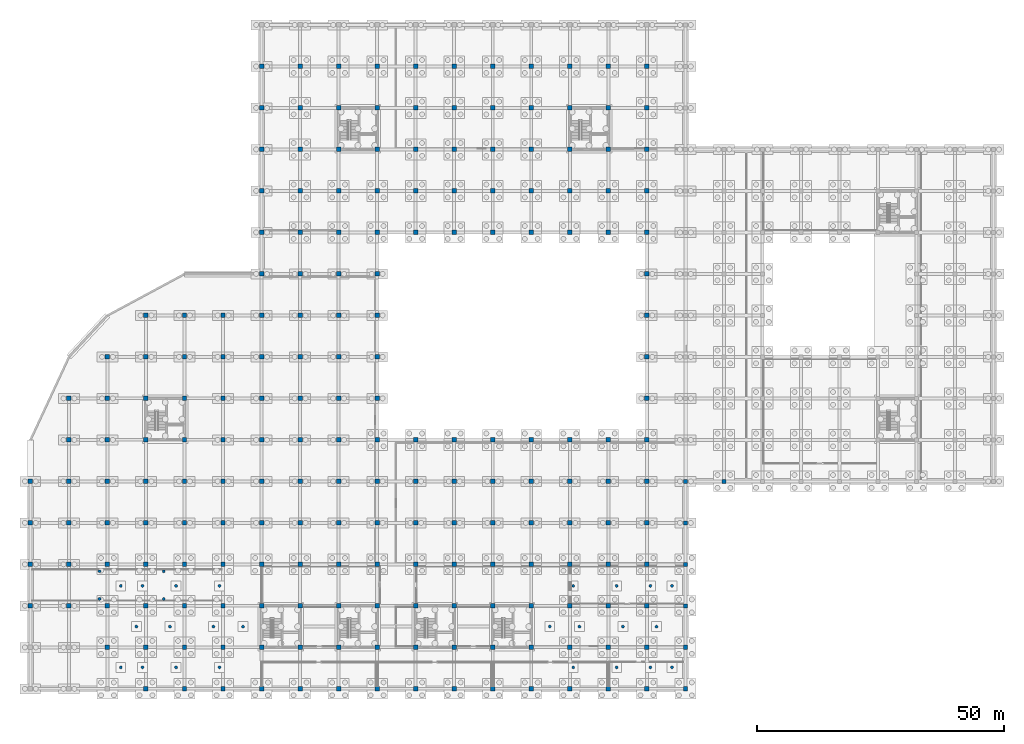
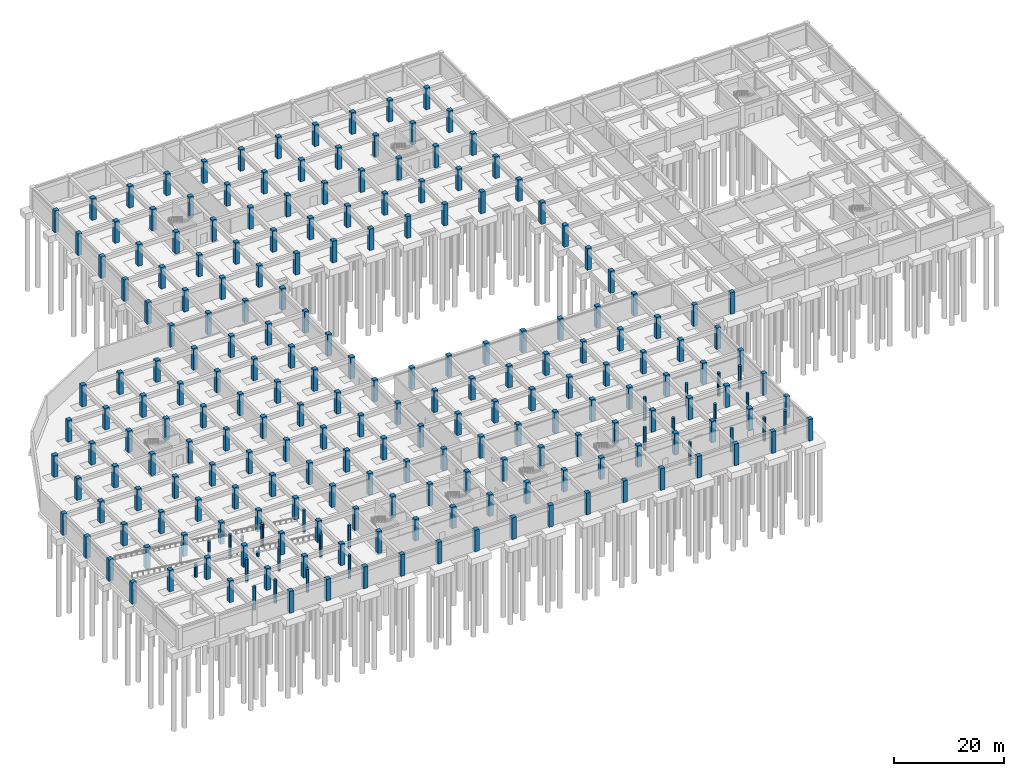
# One storey, part 12 of 31: 235 columns.
"""IFC4 building model written with IfcOpenShell, lengths in metres."""

from ifc_helpers import new_model, si_unit, direction, frame, origin, origin_2d, place, context, subcontext, project, spatial, rectangle, circle, extrude, material, material_profile, profile_set, type_object, element, save


model = new_model("IFC4")

# Units and contexts
model_context = context("Model", 3, precision=1e-05, world=origin(), true_north=direction((0.0, 1.0)))
body_context = subcontext(model_context, "Body", "Model", "MODEL_VIEW")
ifc_project = project(units=[si_unit("LENGTHUNIT", "METRE"), si_unit("AREAUNIT", "SQUARE_METRE"), si_unit("VOLUMEUNIT", "CUBIC_METRE"), si_unit("PLANEANGLEUNIT", "RADIAN"), si_unit("MASSUNIT", "GRAM", prefix="KILO")], contexts=[model_context])

# Site, building, storey
site_placement = place(None, origin())
site = spatial("IfcSite", under=ifc_project, at=site_placement, CompositionType="ELEMENT")
building_placement = place(site_placement, origin())
building = spatial("IfcBuilding", under=site, at=building_placement, Name="Zizhar Promenade General Hospital", CompositionType="ELEMENT")
storey_placement = place(building_placement, frame((0.0, 0.0, -4.800048828125)))
storey = spatial("IfcBuildingStorey", under=building, at=storey_placement, Name="B1", CompositionType="ELEMENT", Elevation=-4.800048828125)

# Columns
ifc_material_1 = material(Name="Concrete C40/50", Category="concrete")
ifc_material_profile_1 = material_profile(ifc_material_1, circle(Radius=0.300048828125, at=origin_2d()))
ifc_profile_set_1 = profile_set([ifc_material_profile_1], Name="Concrete C40/50")
column_type_1 = type_object("IfcColumnType", Name="COL-CIRC-600", PredefinedType="PILASTER", material=ifc_profile_set_1)
for number, where, z_axis, x_axis, name in (
    (1, (14.0, 18.199951171875, 0.0), (0.0, 0.0, 1.0), (1.0, 0.0, 0.0), "Vehicle Ramp Support Pier 1S"),
    (2, (14.0, 23.800048828125, 0.0), (0.0, 0.0, 1.0), (1.0, 0.0, 0.0), "Vehicle Ramp Support Pier 1N"),
):
    element("IfcColumn", number, at=place(storey_placement, frame(where, z_axis=z_axis, x_axis=x_axis)), inside=storey, type_object=column_type_1, Name=name, PredefinedType="PILASTER", context=body_context, shape_type="SweptSolid", body=[
        extrude(circle(Radius=0.300048828125, at=origin_2d()), origin(), (0.0, 0.0, 1.0), 2.949951171875),
    ])
for number, where, z_axis, x_axis, name in (
    (3, (27.0, 18.199951171875, 0.0), (0.0, 0.0, 1.0), (1.0, 0.0, 0.0), "Vehicle Ramp Support Pier 2S"),
    (4, (27.0, 23.800048828125, 0.0), (0.0, 0.0, 1.0), (1.0, 0.0, 0.0), "Vehicle Ramp Support Pier 2N"),
):
    element("IfcColumn", number, at=place(storey_placement, frame(where, z_axis=z_axis, x_axis=x_axis)), inside=storey, type_object=column_type_1, Name=name, PredefinedType="PILASTER", context=body_context, shape_type="SweptSolid", body=[
        extrude(circle(Radius=0.300048828125, at=origin_2d()), origin(), (0.0, 0.0, 1.0), 1.25),
    ])
for number, where, z_axis, x_axis, name in (
    (5, (18.300048828125, 4.35009765625, -0.39990234375), (0.0, 0.0, 1.0), (1.0, 0.0, 0.0), "Ward Terrace Interior Support Column L06-W0 (B1)"),
    (6, (18.300048828125, 20.85009765625, -0.39990234375), (0.0, 0.0, 1.0), (1.0, 0.0, 0.0), "Ward Terrace Interior Support Column L06-W1 (B1)"),
    (7, (21.449951171875, 12.60009765625, -0.39990234375), (0.0, 0.0, 1.0), (1.0, 0.0, 0.0), "Ward Terrace Interior Support Column L06-W2 (B1)"),
    (8, (129.89990234375, 4.35009765625, -0.39990234375), (0.0, 0.0, 1.0), (1.0, 0.0, 0.0), "Ward Terrace Interior Support Column L06-E0 (B1)"),
    (9, (129.89990234375, 20.85009765625, -0.39990234375), (0.0, 0.0, 1.0), (1.0, 0.0, 0.0), "Ward Terrace Interior Support Column L06-E1 (B1)"),
    (10, (126.75, 12.60009765625, -0.39990234375), (0.0, 0.0, 1.0), (1.0, 0.0, 0.0), "Ward Terrace Interior Support Column L06-E2 (B1)"),
    (11, (22.699951171875, 4.35009765625, -0.39990234375), (0.0, 0.0, 1.0), (1.0, 0.0, 0.0), "Ward Terrace Interior Support Column L07-W0 (B1)"),
    (12, (22.699951171875, 20.85009765625, -0.39990234375), (0.0, 0.0, 1.0), (1.0, 0.0, 0.0), "Ward Terrace Interior Support Column L07-W1 (B1)"),
    (13, (28.25, 12.60009765625, -0.39990234375), (0.0, 0.0, 1.0), (1.0, 0.0, 0.0), "Ward Terrace Interior Support Column L07-W2 (B1)"),
    (14, (125.5, 4.35009765625, -0.39990234375), (0.0, 0.0, 1.0), (1.0, 0.0, 0.0), "Ward Terrace Interior Support Column L07-E0 (B1)"),
    (15, (125.5, 20.85009765625, -0.39990234375), (0.0, 0.0, 1.0), (1.0, 0.0, 0.0), "Ward Terrace Interior Support Column L07-E1 (B1)"),
    (16, (119.949951171875, 12.60009765625, -0.39990234375), (0.0, 0.0, 1.0), (1.0, 0.0, 0.0), "Ward Terrace Interior Support Column L07-E2 (B1)"),
    (17, (29.5, 4.35009765625, -0.39990234375), (0.0, 0.0, 1.0), (1.0, 0.0, 0.0), "Ward Terrace Interior Support Column L08-W0 (B1)"),
    (18, (29.5, 20.85009765625, -0.39990234375), (0.0, 0.0, 1.0), (1.0, 0.0, 0.0), "Ward Terrace Interior Support Column L08-W1 (B1)"),
    (19, (37.050048828125, 12.60009765625, -0.39990234375), (0.0, 0.0, 1.0), (1.0, 0.0, 0.0), "Ward Terrace Interior Support Column L08-W2 (B1)"),
    (20, (118.699951171875, 4.35009765625, -0.39990234375), (0.0, 0.0, 1.0), (1.0, 0.0, 0.0), "Ward Terrace Interior Support Column L08-E0 (B1)"),
    (21, (118.699951171875, 20.85009765625, -0.39990234375), (0.0, 0.0, 1.0), (1.0, 0.0, 0.0), "Ward Terrace Interior Support Column L08-E1 (B1)"),
    (22, (111.14990234375, 12.60009765625, -0.39990234375), (0.0, 0.0, 1.0), (1.0, 0.0, 0.0), "Ward Terrace Interior Support Column L08-E2 (B1)"),
    (23, (38.300048828125, 4.35009765625, -0.39990234375), (0.0, 0.0, 1.0), (1.0, 0.0, 0.0), "Ward Terrace Interior Support Column L09-W0 (B1)"),
    (24, (38.300048828125, 20.85009765625, -0.39990234375), (0.0, 0.0, 1.0), (1.0, 0.0, 0.0), "Ward Terrace Interior Support Column L09-W1 (B1)"),
    (25, (43.050048828125, 12.60009765625, -0.39990234375), (0.0, 0.0, 1.0), (1.0, 0.0, 0.0), "Ward Terrace Interior Support Column L09-W2 (B1)"),
    (26, (109.89990234375, 4.35009765625, -0.39990234375), (0.0, 0.0, 1.0), (1.0, 0.0, 0.0), "Ward Terrace Interior Support Column L09-E0 (B1)"),
    (27, (109.89990234375, 20.85009765625, -0.39990234375), (0.0, 0.0, 1.0), (1.0, 0.0, 0.0), "Ward Terrace Interior Support Column L09-E1 (B1)"),
    (28, (105.14990234375, 12.60009765625, -0.39990234375), (0.0, 0.0, 1.0), (1.0, 0.0, 0.0), "Ward Terrace Interior Support Column L09-E2 (B1)"),
):
    element("IfcColumn", number, at=place(storey_placement, frame(where, z_axis=z_axis, x_axis=x_axis)), inside=storey, type_object=column_type_1, Name=name, PredefinedType="PILASTER", context=body_context, shape_type="SweptSolid", body=[
        extrude(circle(Radius=0.300048828125, at=origin_2d()), origin(), (0.0, 0.0, 1.0), 5.199951171875),
    ])
ifc_material_2 = material(Name="Concrete C40/50", Category="concrete")
ifc_material_profile_2 = material_profile(ifc_material_2, rectangle(XDim=0.85009765625, YDim=0.85009765625, at=origin_2d()))
ifc_profile_set_2 = profile_set([ifc_material_profile_2], Name="Concrete C40/50")
column_type_2 = type_object("IfcColumnType", Name="COL-RC-850", PredefinedType="COLUMN", material=ifc_profile_set_2)
for number, where, z_axis, x_axis, name in (
    (29, (132.60009765625, 0.0, 0.0), (0.0, 0.0, 1.0), (1.0, 0.0, 0.0), "Column 18-A (B1)"),
    (30, (132.60009765625, 8.39990234375, 0.0), (0.0, 0.0, 1.0), (1.0, 0.0, 0.0), "Column 18-B (B1)"),
    (31, (132.60009765625, 16.800048828125, 0.0), (0.0, 0.0, 1.0), (1.0, 0.0, 0.0), "Column 18-C (B1)"),
    (32, (132.60009765625, 25.199951171875, 0.0), (0.0, 0.0, 1.0), (1.0, 0.0, 0.0), "Column 18-D (B1)"),
    (33, (132.60009765625, 33.60009765625, 0.0), (0.0, 0.0, 1.0), (1.0, 0.0, 0.0), "Column 18-E (B1)"),
    (34, (132.60009765625, 42.0, 0.0), (0.0, 0.0, 1.0), (1.0, 0.0, 0.0), "Column 18-F (B1)"),
    (35, (140.39990234375, 42.0, 0.0), (0.0, 0.0, 1.0), (1.0, 0.0, 0.0), "Column 19-F (B1)"),
):
    element("IfcColumn", number, at=place(storey_placement, frame(where, z_axis=z_axis, x_axis=x_axis)), inside=storey, type_object=column_type_2, Name=name, PredefinedType="COLUMN", context=body_context, shape_type="SweptSolid", body=[
        extrude(rectangle(XDim=0.85009765625, YDim=0.85009765625, at=origin_2d()), origin(), (0.0, 0.0, 1.0), 4.800048828125),
    ])
ifc_material_3 = material(Name="Concrete C40/50", Category="concrete")
ifc_material_profile_3 = material_profile(ifc_material_3, rectangle(XDim=0.89990234375, YDim=0.89990234375, at=origin_2d()))
ifc_profile_set_3 = profile_set([ifc_material_profile_3], Name="Concrete C40/50")
column_type_3 = type_object("IfcColumnType", Name="COL-RC-900", PredefinedType="COLUMN", material=ifc_profile_set_3)
for number, where, z_axis, x_axis, name in (
    (36, (0.0, 16.800048828125, 0.0), (0.0, 0.0, 1.0), (1.0, 0.0, 0.0), "Column 1-C (B1)"),
    (37, (0.0, 25.199951171875, 0.0), (0.0, 0.0, 1.0), (1.0, 0.0, 0.0), "Column 1-D (B1)"),
    (38, (0.0, 33.60009765625, 0.0), (0.0, 0.0, 1.0), (1.0, 0.0, 0.0), "Column 1-E (B1)"),
    (39, (0.0, 42.0, 0.0), (0.0, 0.0, 1.0), (1.0, 0.0, 0.0), "Column 1-F (B1)"),
    (40, (7.800048828125, 16.800048828125, 0.0), (0.0, 0.0, 1.0), (1.0, 0.0, 0.0), "Column 2-C (B1)"),
    (41, (7.800048828125, 25.199951171875, 0.0), (0.0, 0.0, 1.0), (1.0, 0.0, 0.0), "Column 2-D (B1)"),
    (42, (7.800048828125, 33.60009765625, 0.0), (0.0, 0.0, 1.0), (1.0, 0.0, 0.0), "Column 2-E (B1)"),
    (43, (7.800048828125, 42.0, 0.0), (0.0, 0.0, 1.0), (1.0, 0.0, 0.0), "Column 2-F (B1)"),
    (44, (7.800048828125, 50.39990234375, 0.0), (0.0, 0.0, 1.0), (1.0, 0.0, 0.0), "Column 2-G (B1)"),
    (45, (7.800048828125, 58.800048828125, 0.0), (0.0, 0.0, 1.0), (1.0, 0.0, 0.0), "Column 2-H (B1)"),
    (46, (15.60009765625, 8.39990234375, 0.0), (0.0, 0.0, 1.0), (1.0, 0.0, 0.0), "Column 3-B (B1)"),
    (47, (15.60009765625, 16.800048828125, 0.0), (0.0, 0.0, 1.0), (1.0, 0.0, 0.0), "Column 3-C (B1)"),
    (48, (15.60009765625, 25.199951171875, 0.0), (0.0, 0.0, 1.0), (1.0, 0.0, 0.0), "Column 3-D (B1)"),
    (49, (15.60009765625, 33.60009765625, 0.0), (0.0, 0.0, 1.0), (1.0, 0.0, 0.0), "Column 3-E (B1)"),
    (50, (15.60009765625, 42.0, 0.0), (0.0, 0.0, 1.0), (1.0, 0.0, 0.0), "Column 3-F (B1)"),
    (51, (15.60009765625, 50.39990234375, 0.0), (0.0, 0.0, 1.0), (1.0, 0.0, 0.0), "Column 3-G (B1)"),
    (52, (15.60009765625, 58.800048828125, 0.0), (0.0, 0.0, 1.0), (1.0, 0.0, 0.0), "Column 3-H (B1)"),
    (53, (15.60009765625, 67.199951171875, 0.0), (0.0, 0.0, 1.0), (1.0, 0.0, 0.0), "Column 3-J (B1)"),
    (54, (23.39990234375, 0.0, 0.0), (0.0, 0.0, 1.0), (1.0, 0.0, 0.0), "Column 4-A (B1)"),
    (55, (23.39990234375, 8.39990234375, 0.0), (0.0, 0.0, 1.0), (1.0, 0.0, 0.0), "Column 4-B (B1)"),
    (56, (23.39990234375, 16.800048828125, 0.0), (0.0, 0.0, 1.0), (1.0, 0.0, 0.0), "Column 4-C (B1)"),
    (57, (23.39990234375, 25.199951171875, 0.0), (0.0, 0.0, 1.0), (1.0, 0.0, 0.0), "Column 4-D (B1)"),
    (58, (23.39990234375, 33.60009765625, 0.0), (0.0, 0.0, 1.0), (1.0, 0.0, 0.0), "Column 4-E (B1)"),
    (59, (23.39990234375, 42.0, 0.0), (0.0, 0.0, 1.0), (1.0, 0.0, 0.0), "Column 4-F (B1)"),
    (60, (23.39990234375, 50.39990234375, 0.0), (0.0, 0.0, 1.0), (1.0, 0.0, 0.0), "Column 4-G (B1)"),
    (61, (23.39990234375, 58.800048828125, 0.0), (0.0, 0.0, 1.0), (1.0, 0.0, 0.0), "Column 4-H (B1)"),
    (62, (23.39990234375, 67.199951171875, 0.0), (0.0, 0.0, 1.0), (1.0, 0.0, 0.0), "Column 4-J (B1)"),
    (63, (23.39990234375, 75.60009765625, 0.0), (0.0, 0.0, 1.0), (1.0, 0.0, 0.0), "Column 4-K (B1)"),
    (64, (31.199951171875, 0.0, 0.0), (0.0, 0.0, 1.0), (1.0, 0.0, 0.0), "Column 5-A (B1)"),
    (65, (31.199951171875, 8.39990234375, 0.0), (0.0, 0.0, 1.0), (1.0, 0.0, 0.0), "Column 5-B (B1)"),
    (66, (31.199951171875, 16.800048828125, 0.0), (0.0, 0.0, 1.0), (1.0, 0.0, 0.0), "Column 5-C (B1)"),
    (67, (31.199951171875, 25.199951171875, 0.0), (0.0, 0.0, 1.0), (1.0, 0.0, 0.0), "Column 5-D (B1)"),
    (68, (31.199951171875, 33.60009765625, 0.0), (0.0, 0.0, 1.0), (1.0, 0.0, 0.0), "Column 5-E (B1)"),
    (69, (31.199951171875, 42.0, 0.0), (0.0, 0.0, 1.0), (1.0, 0.0, 0.0), "Column 5-F (B1)"),
    (70, (31.199951171875, 50.39990234375, 0.0), (0.0, 0.0, 1.0), (1.0, 0.0, 0.0), "Column 5-G (B1)"),
    (71, (31.199951171875, 58.800048828125, 0.0), (0.0, 0.0, 1.0), (1.0, 0.0, 0.0), "Column 5-H (B1)"),
    (72, (31.199951171875, 67.199951171875, 0.0), (0.0, 0.0, 1.0), (1.0, 0.0, 0.0), "Column 5-J (B1)"),
    (73, (31.199951171875, 75.60009765625, 0.0), (0.0, 0.0, 1.0), (1.0, 0.0, 0.0), "Column 5-K (B1)"),
    (74, (39.0, 0.0, 0.0), (0.0, 0.0, 1.0), (1.0, 0.0, 0.0), "Column 6-A (B1)"),
    (75, (39.0, 8.39990234375, 0.0), (0.0, 0.0, 1.0), (1.0, 0.0, 0.0), "Column 6-B (B1)"),
    (76, (39.0, 16.800048828125, 0.0), (0.0, 0.0, 1.0), (1.0, 0.0, 0.0), "Column 6-C (B1)"),
    (77, (39.0, 25.199951171875, 0.0), (0.0, 0.0, 1.0), (1.0, 0.0, 0.0), "Column 6-D (B1)"),
    (78, (39.0, 33.60009765625, 0.0), (0.0, 0.0, 1.0), (1.0, 0.0, 0.0), "Column 6-E (B1)"),
    (79, (39.0, 42.0, 0.0), (0.0, 0.0, 1.0), (1.0, 0.0, 0.0), "Column 6-F (B1)"),
    (80, (39.0, 50.39990234375, 0.0), (0.0, 0.0, 1.0), (1.0, 0.0, 0.0), "Column 6-G (B1)"),
    (81, (39.0, 58.800048828125, 0.0), (0.0, 0.0, 1.0), (1.0, 0.0, 0.0), "Column 6-H (B1)"),
    (82, (39.0, 67.199951171875, 0.0), (0.0, 0.0, 1.0), (1.0, 0.0, 0.0), "Column 6-J (B1)"),
    (83, (39.0, 75.60009765625, 0.0), (0.0, 0.0, 1.0), (1.0, 0.0, 0.0), "Column 6-K (B1)"),
    (84, (46.800048828125, 0.0, 0.0), (0.0, 0.0, 1.0), (1.0, 0.0, 0.0), "Column 7-A (B1)"),
    (85, (46.800048828125, 8.39990234375, 0.0), (0.0, 0.0, 1.0), (1.0, 0.0, 0.0), "Column 7-B (B1)"),
    (86, (46.800048828125, 16.800048828125, 0.0), (0.0, 0.0, 1.0), (1.0, 0.0, 0.0), "Column 7-C (B1)"),
    (87, (46.800048828125, 25.199951171875, 0.0), (0.0, 0.0, 1.0), (1.0, 0.0, 0.0), "Column 7-D (B1)"),
    (88, (46.800048828125, 33.60009765625, 0.0), (0.0, 0.0, 1.0), (1.0, 0.0, 0.0), "Column 7-E (B1)"),
    (89, (46.800048828125, 42.0, 0.0), (0.0, 0.0, 1.0), (1.0, 0.0, 0.0), "Column 7-F (B1)"),
    (90, (46.800048828125, 50.39990234375, 0.0), (0.0, 0.0, 1.0), (1.0, 0.0, 0.0), "Column 7-G (B1)"),
    (91, (46.800048828125, 58.800048828125, 0.0), (0.0, 0.0, 1.0), (1.0, 0.0, 0.0), "Column 7-H (B1)"),
    (92, (46.800048828125, 67.199951171875, 0.0), (0.0, 0.0, 1.0), (1.0, 0.0, 0.0), "Column 7-J (B1)"),
    (93, (46.800048828125, 75.60009765625, 0.0), (0.0, 0.0, 1.0), (1.0, 0.0, 0.0), "Column 7-K (B1)"),
    (94, (46.800048828125, 84.0, 0.0), (0.0, 0.0, 1.0), (1.0, 0.0, 0.0), "Column 7-L (B1)"),
    (95, (46.800048828125, 92.39990234375, 0.0), (0.0, 0.0, 1.0), (1.0, 0.0, 0.0), "Column 7-M (B1)"),
    (96, (46.800048828125, 100.800048828125, 0.0), (0.0, 0.0, 1.0), (1.0, 0.0, 0.0), "Column 7-N (B1)"),
    (97, (46.800048828125, 109.199951171875, 0.0), (0.0, 0.0, 1.0), (1.0, 0.0, 0.0), "Column 7-P (B1)"),
    (98, (46.800048828125, 117.60009765625, 0.0), (0.0, 0.0, 1.0), (1.0, 0.0, 0.0), "Column 7-Q (B1)"),
    (99, (46.800048828125, 126.0, 0.0), (0.0, 0.0, 1.0), (1.0, 0.0, 0.0), "Column 7-R (B1)"),
    (100, (54.60009765625, 0.0, 0.0), (0.0, 0.0, 1.0), (1.0, 0.0, 0.0), "Column 8-A (B1)"),
    (101, (54.60009765625, 8.39990234375, 0.0), (0.0, 0.0, 1.0), (1.0, 0.0, 0.0), "Column 8-B (B1)"),
    (102, (54.60009765625, 16.800048828125, 0.0), (0.0, 0.0, 1.0), (1.0, 0.0, 0.0), "Column 8-C (B1)"),
    (103, (54.60009765625, 25.199951171875, 0.0), (0.0, 0.0, 1.0), (1.0, 0.0, 0.0), "Column 8-D (B1)"),
    (104, (54.60009765625, 33.60009765625, 0.0), (0.0, 0.0, 1.0), (1.0, 0.0, 0.0), "Column 8-E (B1)"),
    (105, (54.60009765625, 42.0, 0.0), (0.0, 0.0, 1.0), (1.0, 0.0, 0.0), "Column 8-F (B1)"),
    (106, (54.60009765625, 50.39990234375, 0.0), (0.0, 0.0, 1.0), (1.0, 0.0, 0.0), "Column 8-G (B1)"),
    (107, (54.60009765625, 58.800048828125, 0.0), (0.0, 0.0, 1.0), (1.0, 0.0, 0.0), "Column 8-H (B1)"),
    (108, (54.60009765625, 67.199951171875, 0.0), (0.0, 0.0, 1.0), (1.0, 0.0, 0.0), "Column 8-J (B1)"),
    (109, (54.60009765625, 75.60009765625, 0.0), (0.0, 0.0, 1.0), (1.0, 0.0, 0.0), "Column 8-K (B1)"),
    (110, (54.60009765625, 84.0, 0.0), (0.0, 0.0, 1.0), (1.0, 0.0, 0.0), "Column 8-L (B1)"),
    (111, (54.60009765625, 92.39990234375, 0.0), (0.0, 0.0, 1.0), (1.0, 0.0, 0.0), "Column 8-M (B1)"),
    (112, (54.60009765625, 100.800048828125, 0.0), (0.0, 0.0, 1.0), (1.0, 0.0, 0.0), "Column 8-N (B1)"),
    (113, (54.60009765625, 109.199951171875, 0.0), (0.0, 0.0, 1.0), (1.0, 0.0, 0.0), "Column 8-P (B1)"),
    (114, (54.60009765625, 117.60009765625, 0.0), (0.0, 0.0, 1.0), (1.0, 0.0, 0.0), "Column 8-Q (B1)"),
    (115, (54.60009765625, 126.0, 0.0), (0.0, 0.0, 1.0), (1.0, 0.0, 0.0), "Column 8-R (B1)"),
    (116, (62.39990234375, 0.0, 0.0), (0.0, 0.0, 1.0), (1.0, 0.0, 0.0), "Column 9-A (B1)"),
    (117, (62.39990234375, 8.39990234375, 0.0), (0.0, 0.0, 1.0), (1.0, 0.0, 0.0), "Column 9-B (B1)"),
    (118, (62.39990234375, 16.800048828125, 0.0), (0.0, 0.0, 1.0), (1.0, 0.0, 0.0), "Column 9-C (B1)"),
    (119, (62.39990234375, 25.199951171875, 0.0), (0.0, 0.0, 1.0), (1.0, 0.0, 0.0), "Column 9-D (B1)"),
    (120, (62.39990234375, 33.60009765625, 0.0), (0.0, 0.0, 1.0), (1.0, 0.0, 0.0), "Column 9-E (B1)"),
    (121, (62.39990234375, 42.0, 0.0), (0.0, 0.0, 1.0), (1.0, 0.0, 0.0), "Column 9-F (B1)"),
    (122, (62.39990234375, 50.39990234375, 0.0), (0.0, 0.0, 1.0), (1.0, 0.0, 0.0), "Column 9-G (B1)"),
    (123, (62.39990234375, 58.800048828125, 0.0), (0.0, 0.0, 1.0), (1.0, 0.0, 0.0), "Column 9-H (B1)"),
    (124, (62.39990234375, 67.199951171875, 0.0), (0.0, 0.0, 1.0), (1.0, 0.0, 0.0), "Column 9-J (B1)"),
    (125, (62.39990234375, 75.60009765625, 0.0), (0.0, 0.0, 1.0), (1.0, 0.0, 0.0), "Column 9-K (B1)"),
    (126, (62.39990234375, 84.0, 0.0), (0.0, 0.0, 1.0), (1.0, 0.0, 0.0), "Column 9-L (B1)"),
    (127, (62.39990234375, 92.39990234375, 0.0), (0.0, 0.0, 1.0), (1.0, 0.0, 0.0), "Column 9-M (B1)"),
    (128, (62.39990234375, 100.800048828125, 0.0), (0.0, 0.0, 1.0), (1.0, 0.0, 0.0), "Column 9-N (B1)"),
    (129, (62.39990234375, 109.199951171875, 0.0), (0.0, 0.0, 1.0), (1.0, 0.0, 0.0), "Column 9-P (B1)"),
    (130, (62.39990234375, 117.60009765625, 0.0), (0.0, 0.0, 1.0), (1.0, 0.0, 0.0), "Column 9-Q (B1)"),
    (131, (62.39990234375, 126.0, 0.0), (0.0, 0.0, 1.0), (1.0, 0.0, 0.0), "Column 9-R (B1)"),
    (132, (70.199951171875, 0.0, 0.0), (0.0, 0.0, 1.0), (1.0, 0.0, 0.0), "Column 10-A (B1)"),
    (133, (70.199951171875, 8.39990234375, 0.0), (0.0, 0.0, 1.0), (1.0, 0.0, 0.0), "Column 10-B (B1)"),
    (134, (70.199951171875, 16.800048828125, 0.0), (0.0, 0.0, 1.0), (1.0, 0.0, 0.0), "Column 10-C (B1)"),
    (135, (70.199951171875, 25.199951171875, 0.0), (0.0, 0.0, 1.0), (1.0, 0.0, 0.0), "Column 10-D (B1)"),
    (136, (70.199951171875, 33.60009765625, 0.0), (0.0, 0.0, 1.0), (1.0, 0.0, 0.0), "Column 10-E (B1)"),
    (137, (70.199951171875, 42.0, 0.0), (0.0, 0.0, 1.0), (1.0, 0.0, 0.0), "Column 10-F (B1)"),
    (138, (70.199951171875, 50.39990234375, 0.0), (0.0, 0.0, 1.0), (1.0, 0.0, 0.0), "Column 10-G (B1)"),
    (139, (70.199951171875, 58.800048828125, 0.0), (0.0, 0.0, 1.0), (1.0, 0.0, 0.0), "Column 10-H (B1)"),
    (140, (70.199951171875, 67.199951171875, 0.0), (0.0, 0.0, 1.0), (1.0, 0.0, 0.0), "Column 10-J (B1)"),
    (141, (70.199951171875, 75.60009765625, 0.0), (0.0, 0.0, 1.0), (1.0, 0.0, 0.0), "Column 10-K (B1)"),
    (142, (70.199951171875, 84.0, 0.0), (0.0, 0.0, 1.0), (1.0, 0.0, 0.0), "Column 10-L (B1)"),
    (143, (70.199951171875, 92.39990234375, 0.0), (0.0, 0.0, 1.0), (1.0, 0.0, 0.0), "Column 10-M (B1)"),
    (144, (70.199951171875, 100.800048828125, 0.0), (0.0, 0.0, 1.0), (1.0, 0.0, 0.0), "Column 10-N (B1)"),
    (145, (70.199951171875, 109.199951171875, 0.0), (0.0, 0.0, 1.0), (1.0, 0.0, 0.0), "Column 10-P (B1)"),
    (146, (70.199951171875, 117.60009765625, 0.0), (0.0, 0.0, 1.0), (1.0, 0.0, 0.0), "Column 10-Q (B1)"),
    (147, (70.199951171875, 126.0, 0.0), (0.0, 0.0, 1.0), (1.0, 0.0, 0.0), "Column 10-R (B1)"),
    (148, (78.0, 0.0, 0.0), (0.0, 0.0, 1.0), (1.0, 0.0, 0.0), "Column 11-A (B1)"),
    (149, (78.0, 8.39990234375, 0.0), (0.0, 0.0, 1.0), (1.0, 0.0, 0.0), "Column 11-B (B1)"),
    (150, (78.0, 16.800048828125, 0.0), (0.0, 0.0, 1.0), (1.0, 0.0, 0.0), "Column 11-C (B1)"),
    (151, (78.0, 25.199951171875, 0.0), (0.0, 0.0, 1.0), (1.0, 0.0, 0.0), "Column 11-D (B1)"),
    (152, (78.0, 33.60009765625, 0.0), (0.0, 0.0, 1.0), (1.0, 0.0, 0.0), "Column 11-E (B1)"),
    (153, (78.0, 42.0, 0.0), (0.0, 0.0, 1.0), (1.0, 0.0, 0.0), "Column 11-F (B1)"),
    (154, (78.0, 50.39990234375, 0.0), (0.0, 0.0, 1.0), (1.0, 0.0, 0.0), "Column 11-G (B1)"),
    (155, (78.0, 92.39990234375, 0.0), (0.0, 0.0, 1.0), (1.0, 0.0, 0.0), "Column 11-M (B1)"),
    (156, (78.0, 100.800048828125, 0.0), (0.0, 0.0, 1.0), (1.0, 0.0, 0.0), "Column 11-N (B1)"),
    (157, (78.0, 109.199951171875, 0.0), (0.0, 0.0, 1.0), (1.0, 0.0, 0.0), "Column 11-P (B1)"),
    (158, (78.0, 117.60009765625, 0.0), (0.0, 0.0, 1.0), (1.0, 0.0, 0.0), "Column 11-Q (B1)"),
    (159, (78.0, 126.0, 0.0), (0.0, 0.0, 1.0), (1.0, 0.0, 0.0), "Column 11-R (B1)"),
    (160, (85.800048828125, 0.0, 0.0), (0.0, 0.0, 1.0), (1.0, 0.0, 0.0), "Column 12-A (B1)"),
    (161, (85.800048828125, 8.39990234375, 0.0), (0.0, 0.0, 1.0), (1.0, 0.0, 0.0), "Column 12-B (B1)"),
    (162, (85.800048828125, 16.800048828125, 0.0), (0.0, 0.0, 1.0), (1.0, 0.0, 0.0), "Column 12-C (B1)"),
    (163, (85.800048828125, 25.199951171875, 0.0), (0.0, 0.0, 1.0), (1.0, 0.0, 0.0), "Column 12-D (B1)"),
    (164, (85.800048828125, 33.60009765625, 0.0), (0.0, 0.0, 1.0), (1.0, 0.0, 0.0), "Column 12-E (B1)"),
    (165, (85.800048828125, 42.0, 0.0), (0.0, 0.0, 1.0), (1.0, 0.0, 0.0), "Column 12-F (B1)"),
    (166, (85.800048828125, 50.39990234375, 0.0), (0.0, 0.0, 1.0), (1.0, 0.0, 0.0), "Column 12-G (B1)"),
    (167, (85.800048828125, 92.39990234375, 0.0), (0.0, 0.0, 1.0), (1.0, 0.0, 0.0), "Column 12-M (B1)"),
    (168, (85.800048828125, 100.800048828125, 0.0), (0.0, 0.0, 1.0), (1.0, 0.0, 0.0), "Column 12-N (B1)"),
    (169, (85.800048828125, 109.199951171875, 0.0), (0.0, 0.0, 1.0), (1.0, 0.0, 0.0), "Column 12-P (B1)"),
    (170, (85.800048828125, 117.60009765625, 0.0), (0.0, 0.0, 1.0), (1.0, 0.0, 0.0), "Column 12-Q (B1)"),
    (171, (85.800048828125, 126.0, 0.0), (0.0, 0.0, 1.0), (1.0, 0.0, 0.0), "Column 12-R (B1)"),
    (172, (93.60009765625, 0.0, 0.0), (0.0, 0.0, 1.0), (1.0, 0.0, 0.0), "Column 13-A (B1)"),
    (173, (93.60009765625, 8.39990234375, 0.0), (0.0, 0.0, 1.0), (1.0, 0.0, 0.0), "Column 13-B (B1)"),
    (174, (93.60009765625, 16.800048828125, 0.0), (0.0, 0.0, 1.0), (1.0, 0.0, 0.0), "Column 13-C (B1)"),
    (175, (93.60009765625, 25.199951171875, 0.0), (0.0, 0.0, 1.0), (1.0, 0.0, 0.0), "Column 13-D (B1)"),
    (176, (93.60009765625, 33.60009765625, 0.0), (0.0, 0.0, 1.0), (1.0, 0.0, 0.0), "Column 13-E (B1)"),
    (177, (93.60009765625, 42.0, 0.0), (0.0, 0.0, 1.0), (1.0, 0.0, 0.0), "Column 13-F (B1)"),
    (178, (93.60009765625, 50.39990234375, 0.0), (0.0, 0.0, 1.0), (1.0, 0.0, 0.0), "Column 13-G (B1)"),
    (179, (93.60009765625, 92.39990234375, 0.0), (0.0, 0.0, 1.0), (1.0, 0.0, 0.0), "Column 13-M (B1)"),
    (180, (93.60009765625, 100.800048828125, 0.0), (0.0, 0.0, 1.0), (1.0, 0.0, 0.0), "Column 13-N (B1)"),
    (181, (93.60009765625, 109.199951171875, 0.0), (0.0, 0.0, 1.0), (1.0, 0.0, 0.0), "Column 13-P (B1)"),
    (182, (93.60009765625, 117.60009765625, 0.0), (0.0, 0.0, 1.0), (1.0, 0.0, 0.0), "Column 13-Q (B1)"),
    (183, (93.60009765625, 126.0, 0.0), (0.0, 0.0, 1.0), (1.0, 0.0, 0.0), "Column 13-R (B1)"),
    (184, (101.39990234375, 0.0, 0.0), (0.0, 0.0, 1.0), (1.0, 0.0, 0.0), "Column 14-A (B1)"),
    (185, (101.39990234375, 8.39990234375, 0.0), (0.0, 0.0, 1.0), (1.0, 0.0, 0.0), "Column 14-B (B1)"),
    (186, (101.39990234375, 16.800048828125, 0.0), (0.0, 0.0, 1.0), (1.0, 0.0, 0.0), "Column 14-C (B1)"),
    (187, (101.39990234375, 25.199951171875, 0.0), (0.0, 0.0, 1.0), (1.0, 0.0, 0.0), "Column 14-D (B1)"),
    (188, (101.39990234375, 33.60009765625, 0.0), (0.0, 0.0, 1.0), (1.0, 0.0, 0.0), "Column 14-E (B1)"),
    (189, (101.39990234375, 42.0, 0.0), (0.0, 0.0, 1.0), (1.0, 0.0, 0.0), "Column 14-F (B1)"),
    (190, (101.39990234375, 50.39990234375, 0.0), (0.0, 0.0, 1.0), (1.0, 0.0, 0.0), "Column 14-G (B1)"),
    (191, (101.39990234375, 92.39990234375, 0.0), (0.0, 0.0, 1.0), (1.0, 0.0, 0.0), "Column 14-M (B1)"),
    (192, (101.39990234375, 100.800048828125, 0.0), (0.0, 0.0, 1.0), (1.0, 0.0, 0.0), "Column 14-N (B1)"),
    (193, (101.39990234375, 109.199951171875, 0.0), (0.0, 0.0, 1.0), (1.0, 0.0, 0.0), "Column 14-P (B1)"),
    (194, (101.39990234375, 117.60009765625, 0.0), (0.0, 0.0, 1.0), (1.0, 0.0, 0.0), "Column 14-Q (B1)"),
    (195, (101.39990234375, 126.0, 0.0), (0.0, 0.0, 1.0), (1.0, 0.0, 0.0), "Column 14-R (B1)"),
    (196, (109.199951171875, 0.0, 0.0), (0.0, 0.0, 1.0), (1.0, 0.0, 0.0), "Column 15-A (B1)"),
    (197, (109.199951171875, 8.39990234375, 0.0), (0.0, 0.0, 1.0), (1.0, 0.0, 0.0), "Column 15-B (B1)"),
    (198, (109.199951171875, 16.800048828125, 0.0), (0.0, 0.0, 1.0), (1.0, 0.0, 0.0), "Column 15-C (B1)"),
    (199, (109.199951171875, 25.199951171875, 0.0), (0.0, 0.0, 1.0), (1.0, 0.0, 0.0), "Column 15-D (B1)"),
    (200, (109.199951171875, 33.60009765625, 0.0), (0.0, 0.0, 1.0), (1.0, 0.0, 0.0), "Column 15-E (B1)"),
    (201, (109.199951171875, 42.0, 0.0), (0.0, 0.0, 1.0), (1.0, 0.0, 0.0), "Column 15-F (B1)"),
    (202, (109.199951171875, 50.39990234375, 0.0), (0.0, 0.0, 1.0), (1.0, 0.0, 0.0), "Column 15-G (B1)"),
    (203, (109.199951171875, 92.39990234375, 0.0), (0.0, 0.0, 1.0), (1.0, 0.0, 0.0), "Column 15-M (B1)"),
    (204, (109.199951171875, 100.800048828125, 0.0), (0.0, 0.0, 1.0), (1.0, 0.0, 0.0), "Column 15-N (B1)"),
    (205, (109.199951171875, 109.199951171875, 0.0), (0.0, 0.0, 1.0), (1.0, 0.0, 0.0), "Column 15-P (B1)"),
    (206, (109.199951171875, 117.60009765625, 0.0), (0.0, 0.0, 1.0), (1.0, 0.0, 0.0), "Column 15-Q (B1)"),
    (207, (109.199951171875, 126.0, 0.0), (0.0, 0.0, 1.0), (1.0, 0.0, 0.0), "Column 15-R (B1)"),
    (208, (117.0, 0.0, 0.0), (0.0, 0.0, 1.0), (1.0, 0.0, 0.0), "Column 16-A (B1)"),
    (209, (117.0, 8.39990234375, 0.0), (0.0, 0.0, 1.0), (1.0, 0.0, 0.0), "Column 16-B (B1)"),
    (210, (117.0, 16.800048828125, 0.0), (0.0, 0.0, 1.0), (1.0, 0.0, 0.0), "Column 16-C (B1)"),
    (211, (117.0, 25.199951171875, 0.0), (0.0, 0.0, 1.0), (1.0, 0.0, 0.0), "Column 16-D (B1)"),
    (212, (117.0, 33.60009765625, 0.0), (0.0, 0.0, 1.0), (1.0, 0.0, 0.0), "Column 16-E (B1)"),
    (213, (117.0, 42.0, 0.0), (0.0, 0.0, 1.0), (1.0, 0.0, 0.0), "Column 16-F (B1)"),
    (214, (117.0, 50.39990234375, 0.0), (0.0, 0.0, 1.0), (1.0, 0.0, 0.0), "Column 16-G (B1)"),
    (215, (117.0, 92.39990234375, 0.0), (0.0, 0.0, 1.0), (1.0, 0.0, 0.0), "Column 16-M (B1)"),
    (216, (117.0, 100.800048828125, 0.0), (0.0, 0.0, 1.0), (1.0, 0.0, 0.0), "Column 16-N (B1)"),
    (217, (117.0, 109.199951171875, 0.0), (0.0, 0.0, 1.0), (1.0, 0.0, 0.0), "Column 16-P (B1)"),
    (218, (117.0, 117.60009765625, 0.0), (0.0, 0.0, 1.0), (1.0, 0.0, 0.0), "Column 16-Q (B1)"),
    (219, (117.0, 126.0, 0.0), (0.0, 0.0, 1.0), (1.0, 0.0, 0.0), "Column 16-R (B1)"),
    (220, (124.800048828125, 0.0, 0.0), (0.0, 0.0, 1.0), (1.0, 0.0, 0.0), "Column 17-A (B1)"),
    (221, (124.800048828125, 8.39990234375, 0.0), (0.0, 0.0, 1.0), (1.0, 0.0, 0.0), "Column 17-B (B1)"),
    (222, (124.800048828125, 16.800048828125, 0.0), (0.0, 0.0, 1.0), (1.0, 0.0, 0.0), "Column 17-C (B1)"),
    (223, (124.800048828125, 25.199951171875, 0.0), (0.0, 0.0, 1.0), (1.0, 0.0, 0.0), "Column 17-D (B1)"),
    (224, (124.800048828125, 33.60009765625, 0.0), (0.0, 0.0, 1.0), (1.0, 0.0, 0.0), "Column 17-E (B1)"),
    (225, (124.800048828125, 42.0, 0.0), (0.0, 0.0, 1.0), (1.0, 0.0, 0.0), "Column 17-F (B1)"),
    (226, (124.800048828125, 50.39990234375, 0.0), (0.0, 0.0, 1.0), (1.0, 0.0, 0.0), "Column 17-G (B1)"),
    (227, (124.800048828125, 58.800048828125, 0.0), (0.0, 0.0, 1.0), (1.0, 0.0, 0.0), "Column 17-H (B1)"),
    (228, (124.800048828125, 67.199951171875, 0.0), (0.0, 0.0, 1.0), (1.0, 0.0, 0.0), "Column 17-J (B1)"),
    (229, (124.800048828125, 75.60009765625, 0.0), (0.0, 0.0, 1.0), (1.0, 0.0, 0.0), "Column 17-K (B1)"),
    (230, (124.800048828125, 84.0, 0.0), (0.0, 0.0, 1.0), (1.0, 0.0, 0.0), "Column 17-L (B1)"),
    (231, (124.800048828125, 92.39990234375, 0.0), (0.0, 0.0, 1.0), (1.0, 0.0, 0.0), "Column 17-M (B1)"),
    (232, (124.800048828125, 100.800048828125, 0.0), (0.0, 0.0, 1.0), (1.0, 0.0, 0.0), "Column 17-N (B1)"),
    (233, (124.800048828125, 109.199951171875, 0.0), (0.0, 0.0, 1.0), (1.0, 0.0, 0.0), "Column 17-P (B1)"),
    (234, (124.800048828125, 117.60009765625, 0.0), (0.0, 0.0, 1.0), (1.0, 0.0, 0.0), "Column 17-Q (B1)"),
    (235, (124.800048828125, 126.0, 0.0), (0.0, 0.0, 1.0), (1.0, 0.0, 0.0), "Column 17-R (B1)"),
):
    element("IfcColumn", number, at=place(storey_placement, frame(where, z_axis=z_axis, x_axis=x_axis)), inside=storey, type_object=column_type_3, Name=name, PredefinedType="COLUMN", context=body_context, shape_type="SweptSolid", body=[
        extrude(rectangle(XDim=0.89990234375, YDim=0.89990234375, at=origin_2d()), origin(), (0.0, 0.0, 1.0), 4.800048828125),
    ])

save(model, "model.ifc")
